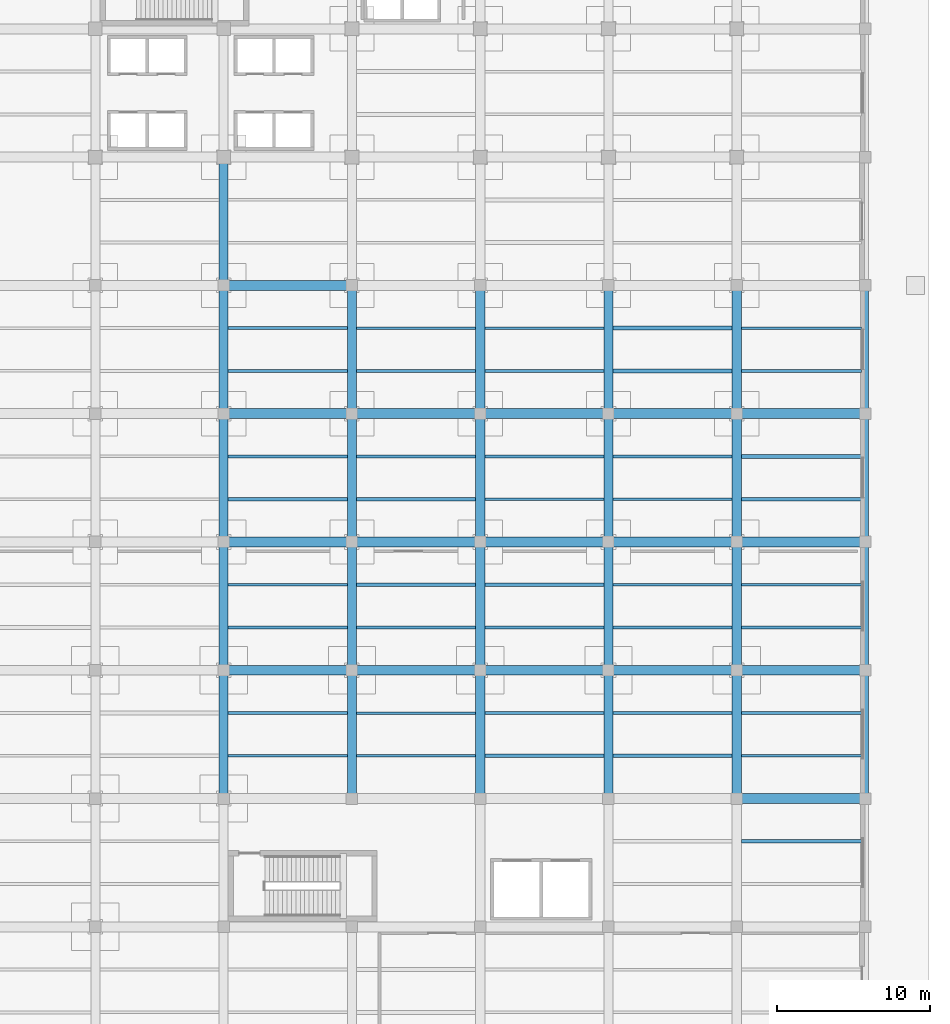
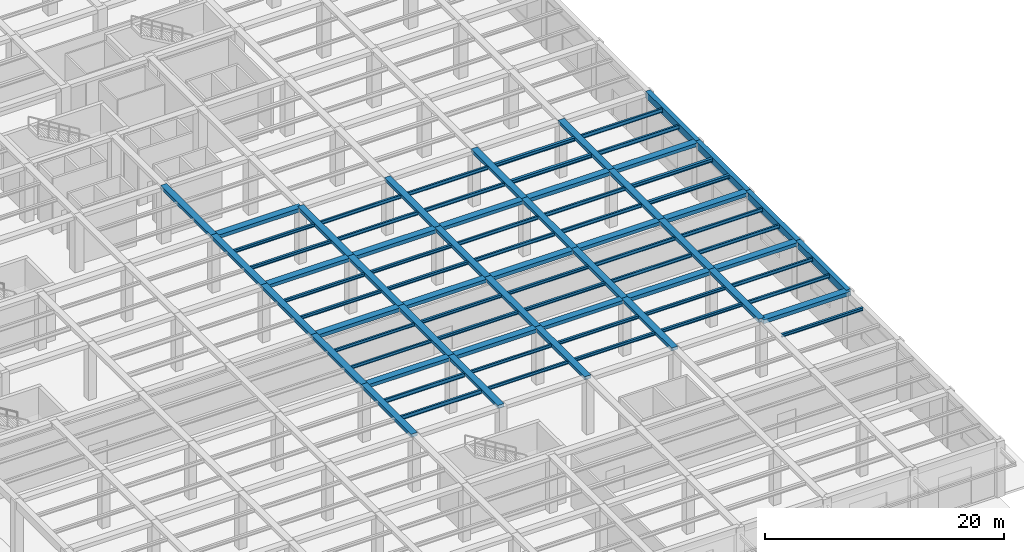
# One storey, part 13 of 43: 83 beams.
"""IFC4 building model written with IfcOpenShell, lengths in metres."""

from ifc_helpers import new_model, si_unit, direction, frame, origin, origin_2d, place, context, subcontext, project, spatial, rectangle, i_section, extrude, material, material_profile, profile_set, type_object, element, save


model = new_model("IFC4")

# Units and contexts
model_context = context("Model", 3, precision=1e-05, world=origin(), true_north=direction((0.0, 1.0)))
body_context = subcontext(model_context, "Body", "Model", "MODEL_VIEW")
ifc_project = project(units=[si_unit("LENGTHUNIT", "METRE"), si_unit("AREAUNIT", "SQUARE_METRE"), si_unit("VOLUMEUNIT", "CUBIC_METRE"), si_unit("PLANEANGLEUNIT", "RADIAN"), si_unit("MASSUNIT", "GRAM", prefix="KILO")], contexts=[model_context])

# Site, building, storey
site_placement = place(None, origin())
site = spatial("IfcSite", under=ifc_project, at=site_placement, CompositionType="ELEMENT")
building_placement = place(site_placement, origin())
building = spatial("IfcBuilding", under=site, at=building_placement, Name="Almacenes y Pasaje Nevantli", CompositionType="ELEMENT")
storey_placement = place(building_placement, origin())
storey = spatial("IfcBuildingStorey", under=building, at=storey_placement, Name="L01", CompositionType="ELEMENT", Elevation=0.0)

# Beams
ifc_material_1 = material(Name="Concrete C35/45", Category="concrete")
ifc_material_profile_1 = material_profile(ifc_material_1, rectangle(XDim=0.449951171875, YDim=0.699951171875, at=origin_2d()), Name="RC-BM-450x700")
ifc_profile_set_1 = profile_set([ifc_material_profile_1], Name="Concrete C35/45")
beam_type_1 = type_object("IfcBeamType", Name="BM-RC-450x700", PredefinedType="SPANDREL", material=ifc_profile_set_1)
beam_1_placement = place(storey_placement, frame((168.0, 25.199951171875, 5.35009765625), z_axis=(0.0, 1.0, 0.0), x_axis=(-1.0, 0.0, 0.0)))
element("IfcBeam", 1, at=beam_1_placement, inside=storey, type_object=beam_type_1, Name="L01 North-South Reinforced Concrete Beam #1678", PredefinedType="SPANDREL", context=body_context, shape_type="SweptSolid", body=[
    extrude(rectangle(XDim=0.449951171875, YDim=0.699951171875, at=origin_2d()), origin(), (0.0, 0.0, 1.0), 8.400146484375),
])
for number, where, z_axis, x_axis, name in (
    (2, (168.0, 33.60009765625, 5.35009765625), (0.0, 1.0, 0.0), (-1.0, 0.0, 0.0), "L01 North-South Reinforced Concrete Beam #1679"),
    (3, (168.0, 42.0, 5.35009765625), (0.0, 1.0, 0.0), (-1.0, 0.0, 0.0), "L01 North-South Reinforced Concrete Beam #1680"),
):
    element("IfcBeam", number, at=place(storey_placement, frame(where, z_axis=z_axis, x_axis=x_axis)), inside=storey, type_object=beam_type_1, Name=name, PredefinedType="SPANDREL", context=body_context, shape_type="SweptSolid", body=[
        extrude(rectangle(XDim=0.449951171875, YDim=0.699951171875, at=origin_2d()), origin(), (0.0, 0.0, 1.0), 8.39990234375),
    ])
beam_2_placement = place(storey_placement, frame((168.0, 50.39990234375, 5.35009765625), z_axis=(0.0, 1.0, 0.0), x_axis=(-1.0, 0.0, 0.0)))
element("IfcBeam", 4, at=beam_2_placement, inside=storey, type_object=beam_type_1, Name="L01 North-South Reinforced Concrete Beam #1681", PredefinedType="SPANDREL", context=body_context, shape_type="SweptSolid", body=[
    extrude(rectangle(XDim=0.449951171875, YDim=0.699951171875, at=origin_2d()), origin(), (0.0, 0.0, 1.0), 8.400146484375),
])
ifc_material_2 = material(Name="Concrete C35/45", Category="concrete")
ifc_material_profile_2 = material_profile(ifc_material_2, rectangle(XDim=0.60009765625, YDim=0.320068359375, at=origin_2d()), Name="RC-BM-600x320")
ifc_profile_set_2 = profile_set([ifc_material_profile_2], Name="Concrete C35/45")
beam_type_2 = type_object("IfcBeamType", Name="BM-RC-600x320", PredefinedType="BEAM", material=ifc_profile_set_2)
beam_3_placement = place(storey_placement, frame((126.0, 33.60009765625, 5.5400390625), z_axis=(0.0, 1.0, 0.0), x_axis=(-1.0, 0.0, 0.0)))
element("IfcBeam", 5, at=beam_3_placement, inside=storey, type_object=beam_type_2, Name="L01 North-South Reinforced Concrete Beam #1613", PredefinedType="BEAM", context=body_context, shape_type="SweptSolid", body=[
    extrude(rectangle(XDim=0.60009765625, YDim=0.320068359375, at=origin_2d()), origin(), (0.0, 0.0, 1.0), 8.39990234375),
])
for number, where, z_axis, x_axis, name in (
    (6, (126.0, 50.39990234375, 5.5400390625), (0.0, 1.0, 0.0), (-1.0, 0.0, 0.0), "L01 North-South Reinforced Concrete Beam #1615"),
    (7, (134.39990234375, 25.199951171875, 5.5400390625), (0.0, 1.0, 0.0), (-1.0, 0.0, 0.0), "L01 North-South Reinforced Concrete Beam #1624"),
):
    element("IfcBeam", number, at=place(storey_placement, frame(where, z_axis=z_axis, x_axis=x_axis)), inside=storey, type_object=beam_type_2, Name=name, PredefinedType="BEAM", context=body_context, shape_type="SweptSolid", body=[
        extrude(rectangle(XDim=0.60009765625, YDim=0.320068359375, at=origin_2d()), origin(), (0.0, 0.0, 1.0), 8.400146484375),
    ])
for number, where, z_axis, x_axis, name in (
    (8, (134.39990234375, 42.0, 5.5400390625), (0.0, 1.0, 0.0), (-1.0, 0.0, 0.0), "L01 North-South Reinforced Concrete Beam #1626"),
    (9, (142.800048828125, 33.60009765625, 5.5400390625), (0.0, 1.0, 0.0), (-1.0, 0.0, 0.0), "L01 North-South Reinforced Concrete Beam #1638"),
):
    element("IfcBeam", number, at=place(storey_placement, frame(where, z_axis=z_axis, x_axis=x_axis)), inside=storey, type_object=beam_type_2, Name=name, PredefinedType="BEAM", context=body_context, shape_type="SweptSolid", body=[
        extrude(rectangle(XDim=0.60009765625, YDim=0.320068359375, at=origin_2d()), origin(), (0.0, 0.0, 1.0), 8.39990234375),
    ])
for number, where, z_axis, x_axis, name in (
    (10, (142.800048828125, 50.39990234375, 5.5400390625), (0.0, 1.0, 0.0), (-1.0, 0.0, 0.0), "L01 North-South Reinforced Concrete Beam #1640"),
    (11, (151.199951171875, 25.199951171875, 5.5400390625), (0.0, 1.0, 0.0), (-1.0, 0.0, 0.0), "L01 North-South Reinforced Concrete Beam #1651"),
):
    element("IfcBeam", number, at=place(storey_placement, frame(where, z_axis=z_axis, x_axis=x_axis)), inside=storey, type_object=beam_type_2, Name=name, PredefinedType="BEAM", context=body_context, shape_type="SweptSolid", body=[
        extrude(rectangle(XDim=0.60009765625, YDim=0.320068359375, at=origin_2d()), origin(), (0.0, 0.0, 1.0), 8.400146484375),
    ])
for number, where, z_axis, x_axis, name in (
    (12, (151.199951171875, 42.0, 5.5400390625), (0.0, 1.0, 0.0), (-1.0, 0.0, 0.0), "L01 North-South Reinforced Concrete Beam #1653"),
    (13, (159.60009765625, 33.60009765625, 5.5400390625), (0.0, 1.0, 0.0), (-1.0, 0.0, 0.0), "L01 North-South Reinforced Concrete Beam #1665"),
):
    element("IfcBeam", number, at=place(storey_placement, frame(where, z_axis=z_axis, x_axis=x_axis)), inside=storey, type_object=beam_type_2, Name=name, PredefinedType="BEAM", context=body_context, shape_type="SweptSolid", body=[
        extrude(rectangle(XDim=0.60009765625, YDim=0.320068359375, at=origin_2d()), origin(), (0.0, 0.0, 1.0), 8.39990234375),
    ])
beam_4_placement = place(storey_placement, frame((159.60009765625, 50.39990234375, 5.5400390625), z_axis=(0.0, 1.0, 0.0), x_axis=(-1.0, 0.0, 0.0)))
element("IfcBeam", 14, at=beam_4_placement, inside=storey, type_object=beam_type_2, Name="L01 North-South Reinforced Concrete Beam #1667", PredefinedType="BEAM", context=body_context, shape_type="SweptSolid", body=[
    extrude(rectangle(XDim=0.60009765625, YDim=0.320068359375, at=origin_2d()), origin(), (0.0, 0.0, 1.0), 8.400146484375),
])
ifc_material_3 = material(Name="Concrete C35/45", Category="concrete")
ifc_material_profile_3 = material_profile(ifc_material_3, rectangle(XDim=0.60009765625, YDim=0.340087890625, at=origin_2d()), Name="RC-BM-600x340")
ifc_profile_set_3 = profile_set([ifc_material_profile_3], Name="Concrete C35/45")
beam_type_3 = type_object("IfcBeamType", Name="BM-RC-600x340", PredefinedType="BEAM", material=ifc_profile_set_3)
beam_5_placement = place(storey_placement, frame((126.0, 25.199951171875, 5.530029296875), z_axis=(0.0, 1.0, 0.0), x_axis=(-1.0, 0.0, 0.0)))
element("IfcBeam", 15, at=beam_5_placement, inside=storey, type_object=beam_type_3, Name="L01 North-South Reinforced Concrete Beam #1612", PredefinedType="BEAM", context=body_context, shape_type="SweptSolid", body=[
    extrude(rectangle(XDim=0.60009765625, YDim=0.340087890625, at=origin_2d()), origin(), (0.0, 0.0, 1.0), 8.400146484375),
])
for number, where, z_axis, x_axis, name in (
    (16, (126.0, 42.0, 5.530029296875), (0.0, 1.0, 0.0), (-1.0, 0.0, 0.0), "L01 North-South Reinforced Concrete Beam #1614"),
    (17, (126.0, 58.800048828125, 5.530029296875), (0.0, 1.0, 0.0), (-1.0, 0.0, 0.0), "L01 North-South Reinforced Concrete Beam #1616"),
    (18, (134.39990234375, 33.60009765625, 5.530029296875), (0.0, 1.0, 0.0), (-1.0, 0.0, 0.0), "L01 North-South Reinforced Concrete Beam #1625"),
):
    element("IfcBeam", number, at=place(storey_placement, frame(where, z_axis=z_axis, x_axis=x_axis)), inside=storey, type_object=beam_type_3, Name=name, PredefinedType="BEAM", context=body_context, shape_type="SweptSolid", body=[
        extrude(rectangle(XDim=0.60009765625, YDim=0.340087890625, at=origin_2d()), origin(), (0.0, 0.0, 1.0), 8.39990234375),
    ])
for number, where, z_axis, x_axis, name in (
    (19, (134.39990234375, 50.39990234375, 5.530029296875), (0.0, 1.0, 0.0), (-1.0, 0.0, 0.0), "L01 North-South Reinforced Concrete Beam #1627"),
    (20, (142.800048828125, 25.199951171875, 5.530029296875), (0.0, 1.0, 0.0), (-1.0, 0.0, 0.0), "L01 North-South Reinforced Concrete Beam #1637"),
):
    element("IfcBeam", number, at=place(storey_placement, frame(where, z_axis=z_axis, x_axis=x_axis)), inside=storey, type_object=beam_type_3, Name=name, PredefinedType="BEAM", context=body_context, shape_type="SweptSolid", body=[
        extrude(rectangle(XDim=0.60009765625, YDim=0.340087890625, at=origin_2d()), origin(), (0.0, 0.0, 1.0), 8.400146484375),
    ])
for number, where, z_axis, x_axis, name in (
    (21, (142.800048828125, 42.0, 5.530029296875), (0.0, 1.0, 0.0), (-1.0, 0.0, 0.0), "L01 North-South Reinforced Concrete Beam #1639"),
    (22, (151.199951171875, 33.60009765625, 5.530029296875), (0.0, 1.0, 0.0), (-1.0, 0.0, 0.0), "L01 North-South Reinforced Concrete Beam #1652"),
):
    element("IfcBeam", number, at=place(storey_placement, frame(where, z_axis=z_axis, x_axis=x_axis)), inside=storey, type_object=beam_type_3, Name=name, PredefinedType="BEAM", context=body_context, shape_type="SweptSolid", body=[
        extrude(rectangle(XDim=0.60009765625, YDim=0.340087890625, at=origin_2d()), origin(), (0.0, 0.0, 1.0), 8.39990234375),
    ])
for number, where, z_axis, x_axis, name in (
    (23, (151.199951171875, 50.39990234375, 5.530029296875), (0.0, 1.0, 0.0), (-1.0, 0.0, 0.0), "L01 North-South Reinforced Concrete Beam #1654"),
    (24, (159.60009765625, 25.199951171875, 5.530029296875), (0.0, 1.0, 0.0), (-1.0, 0.0, 0.0), "L01 North-South Reinforced Concrete Beam #1664"),
):
    element("IfcBeam", number, at=place(storey_placement, frame(where, z_axis=z_axis, x_axis=x_axis)), inside=storey, type_object=beam_type_3, Name=name, PredefinedType="BEAM", context=body_context, shape_type="SweptSolid", body=[
        extrude(rectangle(XDim=0.60009765625, YDim=0.340087890625, at=origin_2d()), origin(), (0.0, 0.0, 1.0), 8.400146484375),
    ])
beam_6_placement = place(storey_placement, frame((159.60009765625, 42.0, 5.530029296875), z_axis=(0.0, 1.0, 0.0), x_axis=(-1.0, 0.0, 0.0)))
element("IfcBeam", 25, at=beam_6_placement, inside=storey, type_object=beam_type_3, Name="L01 North-South Reinforced Concrete Beam #1666", PredefinedType="BEAM", context=body_context, shape_type="SweptSolid", body=[
    extrude(rectangle(XDim=0.60009765625, YDim=0.340087890625, at=origin_2d()), origin(), (0.0, 0.0, 1.0), 8.39990234375),
])
ifc_material_4 = material(Name="Concrete C35/45", Category="concrete")
ifc_material_profile_4 = material_profile(ifc_material_4, rectangle(XDim=0.64990234375, YDim=0.35009765625, at=origin_2d()), Name="RC-BM-650x350")
ifc_profile_set_4 = profile_set([ifc_material_profile_4], Name="Concrete C35/45")
beam_type_4 = type_object("IfcBeamType", Name="BM-RC-650x350", PredefinedType="BEAM", material=ifc_profile_set_4)
for number, where, z_axis, x_axis, name in (
    (26, (126.0, 33.60009765625, 5.52490234375), (1.0, 0.0, 0.0), (0.0, 1.0, 0.0), "L01 East-West Reinforced Concrete Beam #1283"),
    (27, (142.800048828125, 33.60009765625, 5.52490234375), (1.0, 0.0, 0.0), (0.0, 1.0, 0.0), "L01 East-West Reinforced Concrete Beam #1285"),
    (28, (159.60009765625, 33.60009765625, 5.52490234375), (1.0, 0.0, 0.0), (0.0, 1.0, 0.0), "L01 East-West Reinforced Concrete Beam #1287"),
):
    element("IfcBeam", number, at=place(storey_placement, frame(where, z_axis=z_axis, x_axis=x_axis)), inside=storey, type_object=beam_type_4, Name=name, PredefinedType="BEAM", context=body_context, shape_type="SweptSolid", body=[
        extrude(rectangle(XDim=0.64990234375, YDim=0.35009765625, at=origin_2d()), origin(), (0.0, 0.0, 1.0), 8.39990234375),
    ])
for number, where, z_axis, x_axis, name in (
    (29, (134.39990234375, 42.0, 5.52490234375), (1.0, 0.0, 0.0), (0.0, 1.0, 0.0), "L01 East-West Reinforced Concrete Beam #1301"),
    (30, (151.199951171875, 42.0, 5.52490234375), (1.0, 0.0, 0.0), (0.0, 1.0, 0.0), "L01 East-West Reinforced Concrete Beam #1303"),
):
    element("IfcBeam", number, at=place(storey_placement, frame(where, z_axis=z_axis, x_axis=x_axis)), inside=storey, type_object=beam_type_4, Name=name, PredefinedType="BEAM", context=body_context, shape_type="SweptSolid", body=[
        extrude(rectangle(XDim=0.64990234375, YDim=0.35009765625, at=origin_2d()), origin(), (0.0, 0.0, 1.0), 8.400146484375),
    ])
for number, where, z_axis, x_axis, name in (
    (31, (126.0, 50.39990234375, 5.52490234375), (1.0, 0.0, 0.0), (0.0, 1.0, 0.0), "L01 East-West Reinforced Concrete Beam #1314"),
    (32, (142.800048828125, 50.39990234375, 5.52490234375), (1.0, 0.0, 0.0), (0.0, 1.0, 0.0), "L01 East-West Reinforced Concrete Beam #1316"),
    (33, (159.60009765625, 50.39990234375, 5.52490234375), (1.0, 0.0, 0.0), (0.0, 1.0, 0.0), "L01 East-West Reinforced Concrete Beam #1318"),
):
    element("IfcBeam", number, at=place(storey_placement, frame(where, z_axis=z_axis, x_axis=x_axis)), inside=storey, type_object=beam_type_4, Name=name, PredefinedType="BEAM", context=body_context, shape_type="SweptSolid", body=[
        extrude(rectangle(XDim=0.64990234375, YDim=0.35009765625, at=origin_2d()), origin(), (0.0, 0.0, 1.0), 8.39990234375),
    ])
ifc_material_5 = material(Name="Concrete C35/45", Category="concrete")
ifc_material_profile_5 = material_profile(ifc_material_5, rectangle(XDim=0.64990234375, YDim=0.3798828125, at=origin_2d()), Name="RC-BM-650x380")
ifc_profile_set_5 = profile_set([ifc_material_profile_5], Name="Concrete C35/45")
beam_type_5 = type_object("IfcBeamType", Name="BM-RC-650x380", PredefinedType="BEAM", material=ifc_profile_set_5)
beam_7_placement = place(storey_placement, frame((159.60009765625, 25.199951171875, 5.510009765625), z_axis=(1.0, 0.0, 0.0), x_axis=(0.0, 1.0, 0.0)))
element("IfcBeam", 34, at=beam_7_placement, inside=storey, type_object=beam_type_5, Name="L01 East-West Reinforced Concrete Beam #1270", PredefinedType="BEAM", context=body_context, shape_type="SweptSolid", body=[
    extrude(rectangle(XDim=0.64990234375, YDim=0.3798828125, at=origin_2d()), origin(), (0.0, 0.0, 1.0), 8.39990234375),
])
for number, where, z_axis, x_axis, name in (
    (35, (134.39990234375, 33.60009765625, 5.510009765625), (1.0, 0.0, 0.0), (0.0, 1.0, 0.0), "L01 East-West Reinforced Concrete Beam #1284"),
    (36, (151.199951171875, 33.60009765625, 5.510009765625), (1.0, 0.0, 0.0), (0.0, 1.0, 0.0), "L01 East-West Reinforced Concrete Beam #1286"),
):
    element("IfcBeam", number, at=place(storey_placement, frame(where, z_axis=z_axis, x_axis=x_axis)), inside=storey, type_object=beam_type_5, Name=name, PredefinedType="BEAM", context=body_context, shape_type="SweptSolid", body=[
        extrude(rectangle(XDim=0.64990234375, YDim=0.3798828125, at=origin_2d()), origin(), (0.0, 0.0, 1.0), 8.400146484375),
    ])
for number, where, z_axis, x_axis, name in (
    (37, (126.0, 42.0, 5.510009765625), (1.0, 0.0, 0.0), (0.0, 1.0, 0.0), "L01 East-West Reinforced Concrete Beam #1300"),
    (38, (142.800048828125, 42.0, 5.510009765625), (1.0, 0.0, 0.0), (0.0, 1.0, 0.0), "L01 East-West Reinforced Concrete Beam #1302"),
    (39, (159.60009765625, 42.0, 5.510009765625), (1.0, 0.0, 0.0), (0.0, 1.0, 0.0), "L01 East-West Reinforced Concrete Beam #1304"),
):
    element("IfcBeam", number, at=place(storey_placement, frame(where, z_axis=z_axis, x_axis=x_axis)), inside=storey, type_object=beam_type_5, Name=name, PredefinedType="BEAM", context=body_context, shape_type="SweptSolid", body=[
        extrude(rectangle(XDim=0.64990234375, YDim=0.3798828125, at=origin_2d()), origin(), (0.0, 0.0, 1.0), 8.39990234375),
    ])
for number, where, z_axis, x_axis, name in (
    (40, (134.39990234375, 50.39990234375, 5.510009765625), (1.0, 0.0, 0.0), (0.0, 1.0, 0.0), "L01 East-West Reinforced Concrete Beam #1315"),
    (41, (151.199951171875, 50.39990234375, 5.510009765625), (1.0, 0.0, 0.0), (0.0, 1.0, 0.0), "L01 East-West Reinforced Concrete Beam #1317"),
):
    element("IfcBeam", number, at=place(storey_placement, frame(where, z_axis=z_axis, x_axis=x_axis)), inside=storey, type_object=beam_type_5, Name=name, PredefinedType="BEAM", context=body_context, shape_type="SweptSolid", body=[
        extrude(rectangle(XDim=0.64990234375, YDim=0.3798828125, at=origin_2d()), origin(), (0.0, 0.0, 1.0), 8.400146484375),
    ])
beam_8_placement = place(storey_placement, frame((126.0, 58.800048828125, 5.510009765625), z_axis=(1.0, 0.0, 0.0), x_axis=(0.0, 1.0, 0.0)))
element("IfcBeam", 42, at=beam_8_placement, inside=storey, type_object=beam_type_5, Name="L01 East-West Reinforced Concrete Beam #1328", PredefinedType="BEAM", context=body_context, shape_type="SweptSolid", body=[
    extrude(rectangle(XDim=0.64990234375, YDim=0.3798828125, at=origin_2d()), origin(), (0.0, 0.0, 1.0), 8.39990234375),
])
ifc_material_6 = material(Name="Steel ASTM A992", Category="steel")
ifc_material_profile_6 = material_profile(ifc_material_6, i_section(OverallWidth=0.1650390625, OverallDepth=0.306884765625, WebThickness=0.006591796875, FlangeThickness=0.01025390625, at=origin_2d()), Name="IR 305x44.6")
ifc_profile_set_6 = profile_set([ifc_material_profile_6], Name="Steel ASTM A992")
beam_type_6 = type_object("IfcBeamType", Name="BM-STL-IR-305x44p6", PredefinedType="JOIST", material=ifc_profile_set_6)
for number, where, z_axis, x_axis, name in (
    (43, (126.300048828125, 36.39990234375, 5.53857421875), (1.0, 0.0, 0.0), (0.0, 1.0, 0.0), "L01 Secondary Steel Floor Joist #225"),
    (44, (126.300048828125, 39.199951171875, 5.53857421875), (1.0, 0.0, 0.0), (0.0, 1.0, 0.0), "L01 Secondary Steel Floor Joist #226"),
    (45, (134.699951171875, 28.0, 5.53857421875), (1.0, 0.0, 0.0), (0.0, 1.0, 0.0), "L01 Secondary Steel Floor Joist #243"),
    (46, (134.699951171875, 30.800048828125, 5.53857421875), (1.0, 0.0, 0.0), (0.0, 1.0, 0.0), "L01 Secondary Steel Floor Joist #244"),
):
    element("IfcBeam", number, at=place(storey_placement, frame(where, z_axis=z_axis, x_axis=x_axis)), inside=storey, type_object=beam_type_6, Name=name, PredefinedType="JOIST", context=body_context, shape_type="SweptSolid", body=[
        extrude(i_section(OverallWidth=0.1650390625, OverallDepth=0.306884765625, WebThickness=0.006591796875, FlangeThickness=0.01025390625, at=origin_2d()), origin(), (0.0, 0.0, 1.0), 7.800048828125),
    ])
ifc_material_7 = material(Name="Steel ASTM A992", Category="steel")
ifc_material_profile_7 = material_profile(ifc_material_7, i_section(OverallWidth=0.202880859375, OverallDepth=0.304931640625, WebThickness=0.007568359375, FlangeThickness=0.01318359375, at=origin_2d()), Name="IR 305x59.5")
ifc_profile_set_7 = profile_set([ifc_material_profile_7], Name="Steel ASTM A992")
beam_type_7 = type_object("IfcBeamType", Name="BM-STL-IR-305x59p5", PredefinedType="JOIST", material=ifc_profile_set_7)
for number, where, z_axis, x_axis, name in (
    (47, (126.300048828125, 44.800048828125, 5.53955078125), (1.0, 0.0, 0.0), (0.0, 1.0, 0.0), "L01 Secondary Steel Floor Joist #227"),
    (48, (126.300048828125, 47.60009765625, 5.53955078125), (1.0, 0.0, 0.0), (0.0, 1.0, 0.0), "L01 Secondary Steel Floor Joist #228"),
    (49, (134.699951171875, 36.39990234375, 5.53955078125), (1.0, 0.0, 0.0), (0.0, 1.0, 0.0), "L01 Secondary Steel Floor Joist #245"),
    (50, (134.699951171875, 39.199951171875, 5.53955078125), (1.0, 0.0, 0.0), (0.0, 1.0, 0.0), "L01 Secondary Steel Floor Joist #246"),
):
    element("IfcBeam", number, at=place(storey_placement, frame(where, z_axis=z_axis, x_axis=x_axis)), inside=storey, type_object=beam_type_7, Name=name, PredefinedType="JOIST", context=body_context, shape_type="SweptSolid", body=[
        extrude(i_section(OverallWidth=0.202880859375, OverallDepth=0.304931640625, WebThickness=0.007568359375, FlangeThickness=0.01318359375, at=origin_2d()), origin(), (0.0, 0.0, 1.0), 7.800048828125),
    ])
for number, where, z_axis, x_axis, name in (
    (51, (143.10009765625, 28.0, 5.53955078125), (1.0, 0.0, 0.0), (0.0, 1.0, 0.0), "L01 Secondary Steel Floor Joist #265"),
    (52, (143.10009765625, 30.800048828125, 5.53955078125), (1.0, 0.0, 0.0), (0.0, 1.0, 0.0), "L01 Secondary Steel Floor Joist #266"),
):
    element("IfcBeam", number, at=place(storey_placement, frame(where, z_axis=z_axis, x_axis=x_axis)), inside=storey, type_object=beam_type_7, Name=name, PredefinedType="JOIST", context=body_context, shape_type="SweptSolid", body=[
        extrude(i_section(OverallWidth=0.202880859375, OverallDepth=0.304931640625, WebThickness=0.007568359375, FlangeThickness=0.01318359375, at=origin_2d()), origin(), (0.0, 0.0, 1.0), 7.7998046875),
    ])
ifc_material_8 = material(Name="Steel ASTM A992", Category="steel")
ifc_material_profile_8 = material_profile(ifc_material_8, i_section(OverallWidth=0.205078125, OverallDepth=0.31005859375, WebThickness=0.009521484375, FlangeThickness=0.016357421875, at=origin_2d()), Name="IR 305x74.4")
ifc_profile_set_8 = profile_set([ifc_material_profile_8], Name="Steel ASTM A992")
beam_type_8 = type_object("IfcBeamType", Name="BM-STL-IR-305x74p4", PredefinedType="JOIST", material=ifc_profile_set_8)
for number, where, z_axis, x_axis, name in (
    (53, (126.300048828125, 53.199951171875, 5.537109375), (1.0, 0.0, 0.0), (0.0, 1.0, 0.0), "L01 Secondary Steel Floor Joist #229"),
    (54, (126.300048828125, 56.0, 5.537109375), (1.0, 0.0, 0.0), (0.0, 1.0, 0.0), "L01 Secondary Steel Floor Joist #230"),
    (55, (134.699951171875, 44.800048828125, 5.537109375), (1.0, 0.0, 0.0), (0.0, 1.0, 0.0), "L01 Secondary Steel Floor Joist #247"),
    (56, (134.699951171875, 47.60009765625, 5.537109375), (1.0, 0.0, 0.0), (0.0, 1.0, 0.0), "L01 Secondary Steel Floor Joist #248"),
):
    element("IfcBeam", number, at=place(storey_placement, frame(where, z_axis=z_axis, x_axis=x_axis)), inside=storey, type_object=beam_type_8, Name=name, PredefinedType="JOIST", context=body_context, shape_type="SweptSolid", body=[
        extrude(i_section(OverallWidth=0.205078125, OverallDepth=0.31005859375, WebThickness=0.009521484375, FlangeThickness=0.016357421875, at=origin_2d()), origin(), (0.0, 0.0, 1.0), 7.800048828125),
    ])
for number, where, z_axis, x_axis, name in (
    (57, (143.10009765625, 36.39990234375, 5.537109375), (1.0, 0.0, 0.0), (0.0, 1.0, 0.0), "L01 Secondary Steel Floor Joist #267"),
    (58, (143.10009765625, 39.199951171875, 5.537109375), (1.0, 0.0, 0.0), (0.0, 1.0, 0.0), "L01 Secondary Steel Floor Joist #268"),
):
    element("IfcBeam", number, at=place(storey_placement, frame(where, z_axis=z_axis, x_axis=x_axis)), inside=storey, type_object=beam_type_8, Name=name, PredefinedType="JOIST", context=body_context, shape_type="SweptSolid", body=[
        extrude(i_section(OverallWidth=0.205078125, OverallDepth=0.31005859375, WebThickness=0.009521484375, FlangeThickness=0.016357421875, at=origin_2d()), origin(), (0.0, 0.0, 1.0), 7.7998046875),
    ])
for number, where, z_axis, x_axis, name in (
    (59, (151.5, 28.0, 5.537109375), (1.0, 0.0, 0.0), (0.0, 1.0, 0.0), "L01 Secondary Steel Floor Joist #291"),
    (60, (151.5, 30.800048828125, 5.537109375), (1.0, 0.0, 0.0), (0.0, 1.0, 0.0), "L01 Secondary Steel Floor Joist #292"),
):
    element("IfcBeam", number, at=place(storey_placement, frame(where, z_axis=z_axis, x_axis=x_axis)), inside=storey, type_object=beam_type_8, Name=name, PredefinedType="JOIST", context=body_context, shape_type="SweptSolid", body=[
        extrude(i_section(OverallWidth=0.205078125, OverallDepth=0.31005859375, WebThickness=0.009521484375, FlangeThickness=0.016357421875, at=origin_2d()), origin(), (0.0, 0.0, 1.0), 7.800048828125),
    ])
beam_9_placement = place(storey_placement, frame((159.89990234375, 22.39990234375, 5.537109375), z_axis=(1.0, 0.0, 0.0), x_axis=(0.0, 1.0, 0.0)))
element("IfcBeam", 61, at=beam_9_placement, inside=storey, type_object=beam_type_8, Name="L01 Secondary Steel Floor Joist #316", PredefinedType="JOIST", context=body_context, shape_type="SweptSolid", body=[
    extrude(i_section(OverallWidth=0.205078125, OverallDepth=0.31005859375, WebThickness=0.009521484375, FlangeThickness=0.016357421875, at=origin_2d()), origin(), (0.0, 0.0, 1.0), 7.875),
])
ifc_material_9 = material(Name="Steel ASTM A992", Category="steel")
ifc_material_profile_9 = material_profile(ifc_material_9, i_section(OverallWidth=0.173095703125, OverallDepth=0.35302734375, WebThickness=0.0078125, FlangeThickness=0.01318359375, at=origin_2d()), Name="IR 356x56.6")
ifc_profile_set_9 = profile_set([ifc_material_profile_9], Name="Steel ASTM A992")
beam_type_9 = type_object("IfcBeamType", Name="BM-STL-IR-356x56p6", PredefinedType="JOIST", material=ifc_profile_set_9)
for number, where, z_axis, x_axis, name in (
    (62, (134.699951171875, 53.199951171875, 5.515380859375), (1.0, 0.0, 0.0), (0.0, 1.0, 0.0), "L01 Secondary Steel Floor Joist #249"),
    (63, (134.699951171875, 56.0, 5.515380859375), (1.0, 0.0, 0.0), (0.0, 1.0, 0.0), "L01 Secondary Steel Floor Joist #250"),
):
    element("IfcBeam", number, at=place(storey_placement, frame(where, z_axis=z_axis, x_axis=x_axis)), inside=storey, type_object=beam_type_9, Name=name, PredefinedType="JOIST", context=body_context, shape_type="SweptSolid", body=[
        extrude(i_section(OverallWidth=0.173095703125, OverallDepth=0.35302734375, WebThickness=0.0078125, FlangeThickness=0.01318359375, at=origin_2d()), origin(), (0.0, 0.0, 1.0), 7.800048828125),
    ])
for number, where, z_axis, x_axis, name in (
    (64, (143.10009765625, 44.800048828125, 5.515380859375), (1.0, 0.0, 0.0), (0.0, 1.0, 0.0), "L01 Secondary Steel Floor Joist #269"),
    (65, (143.10009765625, 47.60009765625, 5.515380859375), (1.0, 0.0, 0.0), (0.0, 1.0, 0.0), "L01 Secondary Steel Floor Joist #270"),
):
    element("IfcBeam", number, at=place(storey_placement, frame(where, z_axis=z_axis, x_axis=x_axis)), inside=storey, type_object=beam_type_9, Name=name, PredefinedType="JOIST", context=body_context, shape_type="SweptSolid", body=[
        extrude(i_section(OverallWidth=0.173095703125, OverallDepth=0.35302734375, WebThickness=0.0078125, FlangeThickness=0.01318359375, at=origin_2d()), origin(), (0.0, 0.0, 1.0), 7.7998046875),
    ])
for number, where, z_axis, x_axis, name in (
    (66, (151.5, 36.39990234375, 5.515380859375), (1.0, 0.0, 0.0), (0.0, 1.0, 0.0), "L01 Secondary Steel Floor Joist #293"),
    (67, (151.5, 39.199951171875, 5.515380859375), (1.0, 0.0, 0.0), (0.0, 1.0, 0.0), "L01 Secondary Steel Floor Joist #294"),
):
    element("IfcBeam", number, at=place(storey_placement, frame(where, z_axis=z_axis, x_axis=x_axis)), inside=storey, type_object=beam_type_9, Name=name, PredefinedType="JOIST", context=body_context, shape_type="SweptSolid", body=[
        extrude(i_section(OverallWidth=0.173095703125, OverallDepth=0.35302734375, WebThickness=0.0078125, FlangeThickness=0.01318359375, at=origin_2d()), origin(), (0.0, 0.0, 1.0), 7.800048828125),
    ])
for number, where, z_axis, x_axis, name in (
    (68, (159.89990234375, 28.0, 5.515380859375), (1.0, 0.0, 0.0), (0.0, 1.0, 0.0), "L01 Secondary Steel Floor Joist #317"),
    (69, (159.89990234375, 30.800048828125, 5.515380859375), (1.0, 0.0, 0.0), (0.0, 1.0, 0.0), "L01 Secondary Steel Floor Joist #318"),
):
    element("IfcBeam", number, at=place(storey_placement, frame(where, z_axis=z_axis, x_axis=x_axis)), inside=storey, type_object=beam_type_9, Name=name, PredefinedType="JOIST", context=body_context, shape_type="SweptSolid", body=[
        extrude(i_section(OverallWidth=0.173095703125, OverallDepth=0.35302734375, WebThickness=0.0078125, FlangeThickness=0.01318359375, at=origin_2d()), origin(), (0.0, 0.0, 1.0), 7.875),
    ])
ifc_material_10 = material(Name="Steel ASTM A992", Category="steel")
ifc_material_profile_10 = material_profile(ifc_material_10, i_section(OverallWidth=0.173095703125, OverallDepth=0.364013671875, WebThickness=0.009033203125, FlangeThickness=0.015625, at=origin_2d()), Name="IR 356x67.0")
ifc_profile_set_10 = profile_set([ifc_material_profile_10], Name="Steel ASTM A992")
beam_type_10 = type_object("IfcBeamType", Name="BM-STL-IR-356x67p0", PredefinedType="JOIST", material=ifc_profile_set_10)
for number, where, z_axis, x_axis, name in (
    (70, (143.10009765625, 53.199951171875, 5.510009765625), (1.0, 0.0, 0.0), (0.0, 1.0, 0.0), "L01 Secondary Steel Floor Joist #271"),
    (71, (143.10009765625, 56.0, 5.510009765625), (1.0, 0.0, 0.0), (0.0, 1.0, 0.0), "L01 Secondary Steel Floor Joist #272"),
):
    element("IfcBeam", number, at=place(storey_placement, frame(where, z_axis=z_axis, x_axis=x_axis)), inside=storey, type_object=beam_type_10, Name=name, PredefinedType="JOIST", context=body_context, shape_type="SweptSolid", body=[
        extrude(i_section(OverallWidth=0.173095703125, OverallDepth=0.364013671875, WebThickness=0.009033203125, FlangeThickness=0.015625, at=origin_2d()), origin(), (0.0, 0.0, 1.0), 7.7998046875),
    ])
for number, where, z_axis, x_axis, name in (
    (72, (151.5, 44.800048828125, 5.510009765625), (1.0, 0.0, 0.0), (0.0, 1.0, 0.0), "L01 Secondary Steel Floor Joist #295"),
    (73, (151.5, 47.60009765625, 5.510009765625), (1.0, 0.0, 0.0), (0.0, 1.0, 0.0), "L01 Secondary Steel Floor Joist #296"),
):
    element("IfcBeam", number, at=place(storey_placement, frame(where, z_axis=z_axis, x_axis=x_axis)), inside=storey, type_object=beam_type_10, Name=name, PredefinedType="JOIST", context=body_context, shape_type="SweptSolid", body=[
        extrude(i_section(OverallWidth=0.173095703125, OverallDepth=0.364013671875, WebThickness=0.009033203125, FlangeThickness=0.015625, at=origin_2d()), origin(), (0.0, 0.0, 1.0), 7.800048828125),
    ])
for number, where, z_axis, x_axis, name in (
    (74, (159.89990234375, 36.39990234375, 5.510009765625), (1.0, 0.0, 0.0), (0.0, 1.0, 0.0), "L01 Secondary Steel Floor Joist #319"),
    (75, (159.89990234375, 39.199951171875, 5.510009765625), (1.0, 0.0, 0.0), (0.0, 1.0, 0.0), "L01 Secondary Steel Floor Joist #320"),
):
    element("IfcBeam", number, at=place(storey_placement, frame(where, z_axis=z_axis, x_axis=x_axis)), inside=storey, type_object=beam_type_10, Name=name, PredefinedType="JOIST", context=body_context, shape_type="SweptSolid", body=[
        extrude(i_section(OverallWidth=0.173095703125, OverallDepth=0.364013671875, WebThickness=0.009033203125, FlangeThickness=0.015625, at=origin_2d()), origin(), (0.0, 0.0, 1.0), 7.875),
    ])
ifc_material_11 = material(Name="Steel ASTM A992", Category="steel")
ifc_material_profile_11 = material_profile(ifc_material_11, i_section(OverallWidth=0.25390625, OverallDepth=0.35595703125, WebThickness=0.009521484375, FlangeThickness=0.016357421875, at=origin_2d()), Name="IR 356x79.0")
ifc_profile_set_11 = profile_set([ifc_material_profile_11], Name="Steel ASTM A992")
beam_type_11 = type_object("IfcBeamType", Name="BM-STL-IR-356x79p0", PredefinedType="JOIST", material=ifc_profile_set_11)
for number, where, z_axis, x_axis, name in (
    (76, (151.5, 53.199951171875, 5.513916015625), (1.0, 0.0, 0.0), (0.0, 1.0, 0.0), "L01 Secondary Steel Floor Joist #297"),
    (77, (151.5, 56.0, 5.513916015625), (1.0, 0.0, 0.0), (0.0, 1.0, 0.0), "L01 Secondary Steel Floor Joist #298"),
):
    element("IfcBeam", number, at=place(storey_placement, frame(where, z_axis=z_axis, x_axis=x_axis)), inside=storey, type_object=beam_type_11, Name=name, PredefinedType="JOIST", context=body_context, shape_type="SweptSolid", body=[
        extrude(i_section(OverallWidth=0.25390625, OverallDepth=0.35595703125, WebThickness=0.009521484375, FlangeThickness=0.016357421875, at=origin_2d()), origin(), (0.0, 0.0, 1.0), 7.800048828125),
    ])
for number, where, z_axis, x_axis, name in (
    (78, (159.89990234375, 44.800048828125, 5.513916015625), (1.0, 0.0, 0.0), (0.0, 1.0, 0.0), "L01 Secondary Steel Floor Joist #321"),
    (79, (159.89990234375, 47.60009765625, 5.513916015625), (1.0, 0.0, 0.0), (0.0, 1.0, 0.0), "L01 Secondary Steel Floor Joist #322"),
):
    element("IfcBeam", number, at=place(storey_placement, frame(where, z_axis=z_axis, x_axis=x_axis)), inside=storey, type_object=beam_type_11, Name=name, PredefinedType="JOIST", context=body_context, shape_type="SweptSolid", body=[
        extrude(i_section(OverallWidth=0.25390625, OverallDepth=0.35595703125, WebThickness=0.009521484375, FlangeThickness=0.016357421875, at=origin_2d()), origin(), (0.0, 0.0, 1.0), 7.875),
    ])
ifc_material_12 = material(Name="Steel ASTM A992", Category="steel")
ifc_material_profile_12 = material_profile(ifc_material_12, i_section(OverallWidth=0.178955078125, OverallDepth=0.406005859375, WebThickness=0.0087890625, FlangeThickness=0.014404296875, at=origin_2d()), Name="IR 406x67.0")
ifc_profile_set_12 = profile_set([ifc_material_profile_12], Name="Steel ASTM A992")
beam_type_12 = type_object("IfcBeamType", Name="BM-STL-IR-406x67p0", PredefinedType="JOIST", material=ifc_profile_set_12)
for number, where, z_axis, x_axis, name in (
    (80, (126.300048828125, 28.0, 5.489013671875), (1.0, 0.0, 0.0), (0.0, 1.0, 0.0), "L01 Secondary Steel Floor Joist #223"),
    (81, (126.300048828125, 30.800048828125, 5.489013671875), (1.0, 0.0, 0.0), (0.0, 1.0, 0.0), "L01 Secondary Steel Floor Joist #224"),
):
    element("IfcBeam", number, at=place(storey_placement, frame(where, z_axis=z_axis, x_axis=x_axis)), inside=storey, type_object=beam_type_12, Name=name, PredefinedType="JOIST", context=body_context, shape_type="SweptSolid", body=[
        extrude(i_section(OverallWidth=0.178955078125, OverallDepth=0.406005859375, WebThickness=0.0087890625, FlangeThickness=0.014404296875, at=origin_2d()), origin(), (0.0, 0.0, 1.0), 7.800048828125),
    ])
for number, where, z_axis, x_axis, name in (
    (82, (159.89990234375, 53.199951171875, 5.489013671875), (1.0, 0.0, 0.0), (0.0, 1.0, 0.0), "L01 Secondary Steel Floor Joist #323"),
    (83, (159.89990234375, 56.0, 5.489013671875), (1.0, 0.0, 0.0), (0.0, 1.0, 0.0), "L01 Secondary Steel Floor Joist #324"),
):
    element("IfcBeam", number, at=place(storey_placement, frame(where, z_axis=z_axis, x_axis=x_axis)), inside=storey, type_object=beam_type_12, Name=name, PredefinedType="JOIST", context=body_context, shape_type="SweptSolid", body=[
        extrude(i_section(OverallWidth=0.178955078125, OverallDepth=0.406005859375, WebThickness=0.0087890625, FlangeThickness=0.014404296875, at=origin_2d()), origin(), (0.0, 0.0, 1.0), 7.875),
    ])

save(model, "model.ifc")
